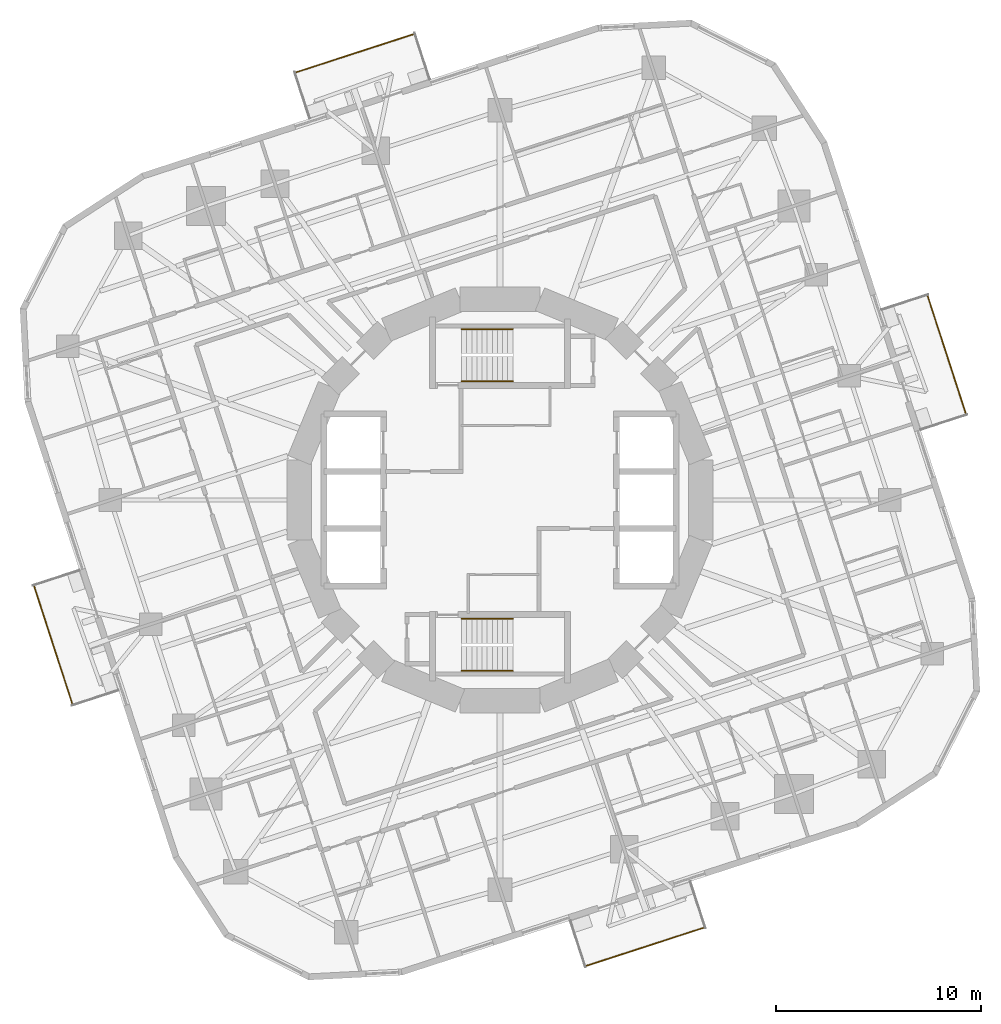
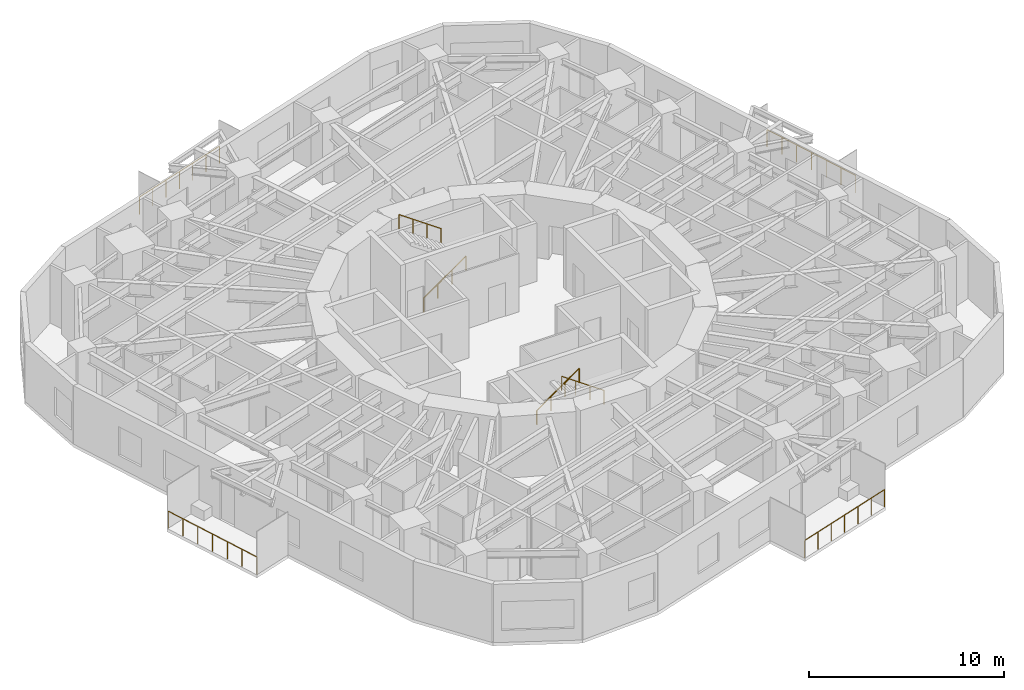
# One storey, part 11 of 12: 8 railings.
"""IFC4 building model written with IfcOpenShell, lengths in metres."""

from ifc_helpers import new_model, si_unit, direction, frame, origin, origin_2d, place, context, subcontext, project, spatial, circle, extrude, material, type_object, element, save


model = new_model("IFC4")

# Units and contexts
model_context = context("Model", 3, precision=1e-05, world=origin(), true_north=direction((0.0, 1.0)))
body_context = subcontext(model_context, "Body", "Model", "MODEL_VIEW")
ifc_project = project(units=[si_unit("LENGTHUNIT", "METRE"), si_unit("AREAUNIT", "SQUARE_METRE"), si_unit("VOLUMEUNIT", "CUBIC_METRE"), si_unit("PLANEANGLEUNIT", "RADIAN"), si_unit("MASSUNIT", "GRAM", prefix="KILO")], contexts=[model_context])

# Site, building, storey
site_placement = place(None, origin())
site = spatial("IfcSite", under=ifc_project, at=site_placement, CompositionType="ELEMENT")
building_placement = place(site_placement, origin())
building = spatial("IfcBuilding", under=site, at=building_placement, Name="Nakasero Lantern House", CompositionType="ELEMENT")
storey_placement = place(building_placement, frame((0.0, 0.0, 145.64990234375)))
storey = spatial("IfcBuildingStorey", under=building, at=storey_placement, Name="L35", CompositionType="ELEMENT", Elevation=145.64990234375)

# Railings
ifc_material_1 = material(Name="Aluminium 6063-T6", Category="aluminium")
railing_type_1 = type_object("IfcRailingType", Name="Balcony guard 1100", PredefinedType="BALUSTRADE", material=ifc_material_1)
railing_1_placement = place(storey_placement, frame((22.7724609375, 4.181640625, 0.0)))
element("IfcRailing", 1, at=railing_1_placement, inside=storey, type_object=railing_type_1, Name="Balcony guard L35 BAL0", PredefinedType="BALUSTRADE", context=body_context, shape_type="SweptSolid", body=[
    extrude(circle(Radius=0.02392578125, at=origin_2d()), frame((0.0, 0.0, 1.076171875), z_axis=(-0.309038265471, 0.951049604634, 0.0), x_axis=(-0.951049604634, -0.309038265471, 0.0)), (0.0, 0.0, 1.0), 6.1201171875),
    extrude(circle(Radius=0.02099609375, at=origin_2d()), origin(), (0.0, 0.0, 1.0), 1.052001953125),
    extrude(circle(Radius=0.02099609375, at=origin_2d()), frame((-0.315185546875, 0.97021484375, 0.0)), (0.0, 0.0, 1.0), 1.052001953125),
    extrude(circle(Radius=0.02099609375, at=origin_2d()), frame((-0.63037109375, 1.940185546875, 0.0)), (0.0, 0.0, 1.0), 1.052001953125),
    extrude(circle(Radius=0.02099609375, at=origin_2d()), frame((-0.94580078125, 2.91015625, 0.0)), (0.0, 0.0, 1.0), 1.052001953125),
    extrude(circle(Radius=0.02099609375, at=origin_2d()), frame((-1.260986328125, 3.88037109375, 0.0)), (0.0, 0.0, 1.0), 1.052001953125),
    extrude(circle(Radius=0.02099609375, at=origin_2d()), frame((-1.576171875, 4.8505859375, 0.0)), (0.0, 0.0, 1.0), 1.052001953125),
    extrude(circle(Radius=0.02099609375, at=origin_2d()), frame((-1.891357421875, 5.820556640625, 0.0)), (0.0, 0.0, 1.0), 1.052001953125),
])
railing_2_placement = place(storey_placement, frame((-4.181640625, 22.7724609375, 0.0)))
element("IfcRailing", 2, at=railing_2_placement, inside=storey, type_object=railing_type_1, Name="Balcony guard L35 BAL1", PredefinedType="BALUSTRADE", context=body_context, shape_type="SweptSolid", body=[
    extrude(circle(Radius=0.02392578125, at=origin_2d()), frame((0.0, 0.0, 1.076171875), z_axis=(-0.951049604634, -0.309038265471, 0.0), x_axis=(0.309038265471, -0.951049604634, 0.0)), (0.0, 0.0, 1.0), 6.1201171875),
    extrude(circle(Radius=0.02099609375, at=origin_2d()), origin(), (0.0, 0.0, 1.0), 1.052001953125),
    extrude(circle(Radius=0.02099609375, at=origin_2d()), frame((-0.97021484375, -0.315185546875, 0.0)), (0.0, 0.0, 1.0), 1.052001953125),
    extrude(circle(Radius=0.02099609375, at=origin_2d()), frame((-1.940185546875, -0.63037109375, 0.0)), (0.0, 0.0, 1.0), 1.052001953125),
    extrude(circle(Radius=0.02099609375, at=origin_2d()), frame((-2.91015625, -0.94580078125, 0.0)), (0.0, 0.0, 1.0), 1.052001953125),
    extrude(circle(Radius=0.02099609375, at=origin_2d()), frame((-3.88037109375, -1.260986328125, 0.0)), (0.0, 0.0, 1.0), 1.052001953125),
    extrude(circle(Radius=0.02099609375, at=origin_2d()), frame((-4.8505859375, -1.576171875, 0.0)), (0.0, 0.0, 1.0), 1.052001953125),
    extrude(circle(Radius=0.02099609375, at=origin_2d()), frame((-5.820556640625, -1.891357421875, 0.0)), (0.0, 0.0, 1.0), 1.052001953125),
])
railing_3_placement = place(storey_placement, frame((-22.7724609375, -4.181640625, 0.0)))
element("IfcRailing", 3, at=railing_3_placement, inside=storey, type_object=railing_type_1, Name="Balcony guard L35 BAL2", PredefinedType="BALUSTRADE", context=body_context, shape_type="SweptSolid", body=[
    extrude(circle(Radius=0.02392578125, at=origin_2d()), frame((0.0, 0.0, 1.076171875), z_axis=(0.309038265471, -0.951049604634, 0.0), x_axis=(0.951049604634, 0.309038265471, 0.0)), (0.0, 0.0, 1.0), 6.1201171875),
    extrude(circle(Radius=0.02099609375, at=origin_2d()), origin(), (0.0, 0.0, 1.0), 1.052001953125),
    extrude(circle(Radius=0.02099609375, at=origin_2d()), frame((0.315185546875, -0.97021484375, 0.0)), (0.0, 0.0, 1.0), 1.052001953125),
    extrude(circle(Radius=0.02099609375, at=origin_2d()), frame((0.63037109375, -1.940185546875, 0.0)), (0.0, 0.0, 1.0), 1.052001953125),
    extrude(circle(Radius=0.02099609375, at=origin_2d()), frame((0.94580078125, -2.91015625, 0.0)), (0.0, 0.0, 1.0), 1.052001953125),
    extrude(circle(Radius=0.02099609375, at=origin_2d()), frame((1.260986328125, -3.88037109375, 0.0)), (0.0, 0.0, 1.0), 1.052001953125),
    extrude(circle(Radius=0.02099609375, at=origin_2d()), frame((1.576171875, -4.8505859375, 0.0)), (0.0, 0.0, 1.0), 1.052001953125),
    extrude(circle(Radius=0.02099609375, at=origin_2d()), frame((1.891357421875, -5.820556640625, 0.0)), (0.0, 0.0, 1.0), 1.052001953125),
])
railing_4_placement = place(storey_placement, frame((4.181640625, -22.7724609375, 0.0)))
element("IfcRailing", 4, at=railing_4_placement, inside=storey, type_object=railing_type_1, Name="Balcony guard L35 BAL3", PredefinedType="BALUSTRADE", context=body_context, shape_type="SweptSolid", body=[
    extrude(circle(Radius=0.02392578125, at=origin_2d()), frame((0.0, 0.0, 1.076171875), z_axis=(0.951049604634, 0.309038265471, 0.0), x_axis=(-0.309038265471, 0.951049604634, 0.0)), (0.0, 0.0, 1.0), 6.1201171875),
    extrude(circle(Radius=0.02099609375, at=origin_2d()), origin(), (0.0, 0.0, 1.0), 1.052001953125),
    extrude(circle(Radius=0.02099609375, at=origin_2d()), frame((0.97021484375, 0.315185546875, 0.0)), (0.0, 0.0, 1.0), 1.052001953125),
    extrude(circle(Radius=0.02099609375, at=origin_2d()), frame((1.940185546875, 0.63037109375, 0.0)), (0.0, 0.0, 1.0), 1.052001953125),
    extrude(circle(Radius=0.02099609375, at=origin_2d()), frame((2.91015625, 0.94580078125, 0.0)), (0.0, 0.0, 1.0), 1.052001953125),
    extrude(circle(Radius=0.02099609375, at=origin_2d()), frame((3.88037109375, 1.260986328125, 0.0)), (0.0, 0.0, 1.0), 1.052001953125),
    extrude(circle(Radius=0.02099609375, at=origin_2d()), frame((4.8505859375, 1.576171875, 0.0)), (0.0, 0.0, 1.0), 1.052001953125),
    extrude(circle(Radius=0.02099609375, at=origin_2d()), frame((5.820556640625, 1.891357421875, 0.0)), (0.0, 0.0, 1.0), 1.052001953125),
])
ifc_material_2 = material(Name="Stainless steel 316", Category="steel")
railing_type_2 = type_object("IfcRailingType", Name="Stair handrail 900", PredefinedType="HANDRAIL", material=ifc_material_2)
railing_5_placement = place(storey_placement, frame((-1.875, 5.800048828125, 0.175048828125)))
element("IfcRailing", 5, at=railing_5_placement, inside=storey, type_object=railing_type_2, Name="Handrail ST1 L35 flight 1", PredefinedType="HANDRAIL", context=body_context, shape_type="SweptSolid", body=[
    extrude(circle(Radius=0.02392578125, at=origin_2d()), frame((0.0, 0.0, 0.8759765625), z_axis=(0.819231920519, 0.0, 0.573462344363), x_axis=(0.0, 1.0, 0.0)), (0.0, 0.0, 1.0), 3.0517578125),
    extrude(circle(Radius=0.02099609375, at=origin_2d()), origin(), (0.0, 0.0, 1.0), 0.851806640625),
    extrude(circle(Radius=0.02099609375, at=origin_2d()), frame((0.833251953125, 0.0, 0.583251953125)), (0.0, 0.0, 1.0), 0.851806640625),
    extrude(circle(Radius=0.02099609375, at=origin_2d()), frame((1.666748046875, 0.0, 1.166748046875)), (0.0, 0.0, 1.0), 0.851806640625),
    extrude(circle(Radius=0.02099609375, at=origin_2d()), frame((2.5, 0.0, 1.75)), (0.0, 0.0, 1.0), 0.851806640625),
])
railing_6_placement = place(storey_placement, frame((0.625, 8.35009765625, 2.10009765625)))
element("IfcRailing", 6, at=railing_6_placement, inside=storey, type_object=railing_type_2, Name="Handrail ST1 L35 flight 2", PredefinedType="HANDRAIL", context=body_context, shape_type="SweptSolid", body=[
    extrude(circle(Radius=0.02392578125, at=origin_2d()), frame((0.0, 0.0, 0.8759765625), z_axis=(-0.819231920519, 0.0, 0.573462344363), x_axis=(0.0, -1.0, 0.0)), (0.0, 0.0, 1.0), 3.0517578125),
    extrude(circle(Radius=0.02099609375, at=origin_2d()), origin(), (0.0, 0.0, 1.0), 0.851806640625),
    extrude(circle(Radius=0.02099609375, at=origin_2d()), frame((-0.833251953125, 0.0, 0.583251953125)), (0.0, 0.0, 1.0), 0.851806640625),
    extrude(circle(Radius=0.02099609375, at=origin_2d()), frame((-1.666748046875, 0.0, 1.166748046875)), (0.0, 0.0, 1.0), 0.851806640625),
    extrude(circle(Radius=0.02099609375, at=origin_2d()), frame((-2.5, 0.0, 1.75)), (0.0, 0.0, 1.0), 0.851806640625),
])
railing_7_placement = place(storey_placement, frame((-1.875, -5.800048828125, 0.175048828125)))
element("IfcRailing", 7, at=railing_7_placement, inside=storey, type_object=railing_type_2, Name="Handrail ST2 L35 flight 1", PredefinedType="HANDRAIL", context=body_context, shape_type="SweptSolid", body=[
    extrude(circle(Radius=0.02392578125, at=origin_2d()), frame((0.0, 0.0, 0.8759765625), z_axis=(0.819231920519, 0.0, 0.573462344363), x_axis=(0.0, 1.0, 0.0)), (0.0, 0.0, 1.0), 3.0517578125),
    extrude(circle(Radius=0.02099609375, at=origin_2d()), origin(), (0.0, 0.0, 1.0), 0.851806640625),
    extrude(circle(Radius=0.02099609375, at=origin_2d()), frame((0.833251953125, 0.0, 0.583251953125)), (0.0, 0.0, 1.0), 0.851806640625),
    extrude(circle(Radius=0.02099609375, at=origin_2d()), frame((1.666748046875, 0.0, 1.166748046875)), (0.0, 0.0, 1.0), 0.851806640625),
    extrude(circle(Radius=0.02099609375, at=origin_2d()), frame((2.5, 0.0, 1.75)), (0.0, 0.0, 1.0), 0.851806640625),
])
railing_8_placement = place(storey_placement, frame((0.625, -8.35009765625, 2.10009765625)))
element("IfcRailing", 8, at=railing_8_placement, inside=storey, type_object=railing_type_2, Name="Handrail ST2 L35 flight 2", PredefinedType="HANDRAIL", context=body_context, shape_type="SweptSolid", body=[
    extrude(circle(Radius=0.02392578125, at=origin_2d()), frame((0.0, 0.0, 0.8759765625), z_axis=(-0.819231920519, 0.0, 0.573462344363), x_axis=(0.0, -1.0, 0.0)), (0.0, 0.0, 1.0), 3.0517578125),
    extrude(circle(Radius=0.02099609375, at=origin_2d()), origin(), (0.0, 0.0, 1.0), 0.851806640625),
    extrude(circle(Radius=0.02099609375, at=origin_2d()), frame((-0.833251953125, 0.0, 0.583251953125)), (0.0, 0.0, 1.0), 0.851806640625),
    extrude(circle(Radius=0.02099609375, at=origin_2d()), frame((-1.666748046875, 0.0, 1.166748046875)), (0.0, 0.0, 1.0), 0.851806640625),
    extrude(circle(Radius=0.02099609375, at=origin_2d()), frame((-2.5, 0.0, 1.75)), (0.0, 0.0, 1.0), 0.851806640625),
])

save(model, "model.ifc")
